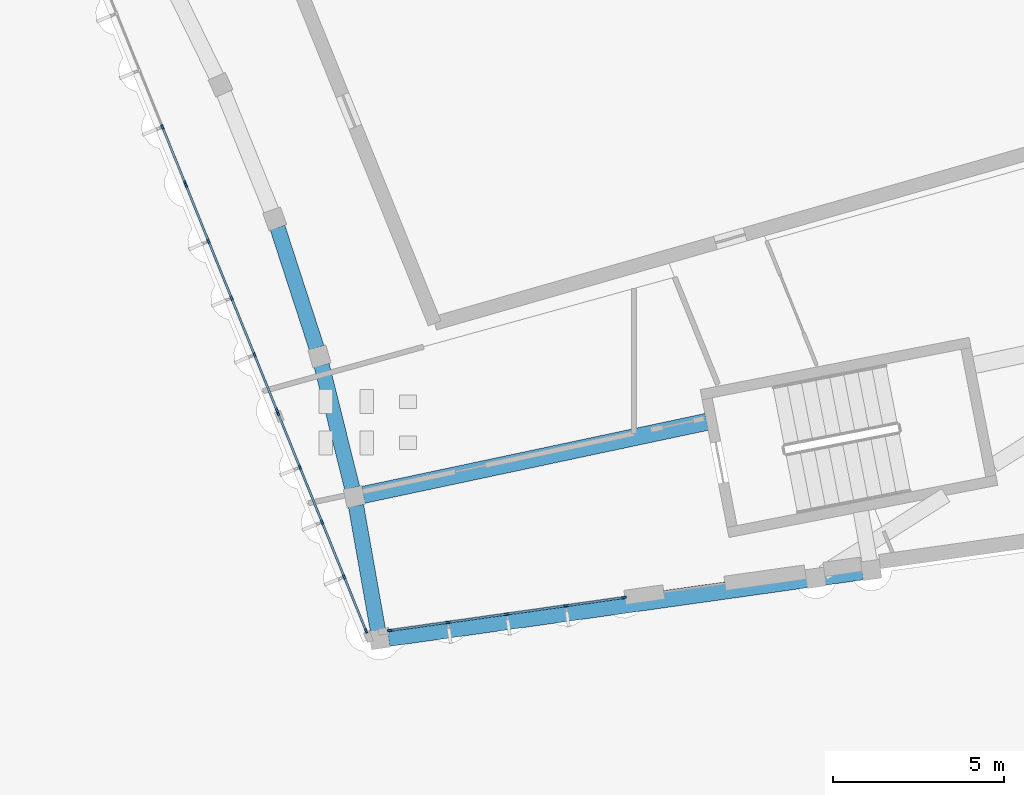
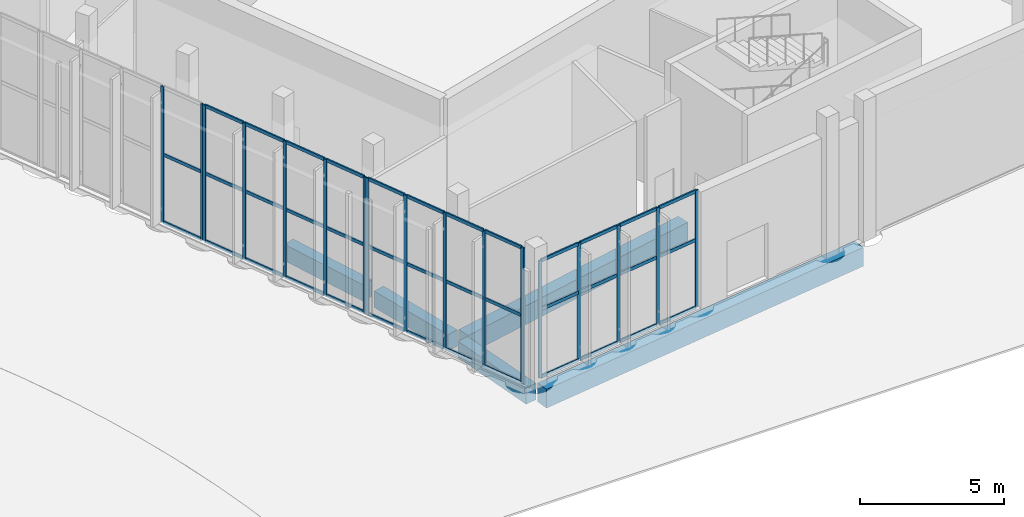
# One storey, part 49 of 155: 55 members, 5 beams, 4 elements without a shape of their own.
"""IFC4 building model written with IfcOpenShell, lengths in metres."""

from ifc_helpers import new_model, si_unit, direction, frame, origin, origin_2d, place, context, subcontext, project, spatial, rectangle, extrude, material, layer, layer_set, material_profile, profile_set, type_object, element, aggregate, save


model = new_model("IFC4")

# Units and contexts
model_context = context("Model", 3, precision=1e-05, world=origin(), true_north=direction((0.0, 1.0)))
body_context = subcontext(model_context, "Body", "Model", "MODEL_VIEW")
ifc_project = project(units=[si_unit("LENGTHUNIT", "METRE"), si_unit("AREAUNIT", "SQUARE_METRE"), si_unit("VOLUMEUNIT", "CUBIC_METRE"), si_unit("PLANEANGLEUNIT", "RADIAN"), si_unit("MASSUNIT", "GRAM", prefix="KILO")], contexts=[model_context])

# Site, building, storey
site_placement = place(None, origin())
site = spatial("IfcSite", under=ifc_project, at=site_placement, CompositionType="ELEMENT")
building_placement = place(site_placement, origin())
building = spatial("IfcBuilding", under=site, at=building_placement, Name="Lunette Opera House", CompositionType="ELEMENT")
storey_placement = place(building_placement, origin())
storey = spatial("IfcBuildingStorey", under=building, at=storey_placement, Name="L00", CompositionType="ELEMENT", Elevation=0.0)

# Curtain wall, members
ifc_material_1 = material(Name="Aluminium", Category="aluminium")
ifc_layer = layer(ifc_material_1, 0.139892578125)
ifc_layer_set = layer_set([ifc_layer], Name="Aluminium")
curtain_wall_type = type_object("IfcCurtainWallType", Name="STUDIO CURTAIN WALL", PredefinedType="NOTDEFINED", material=ifc_layer_set)
curtain_wall_1_placement = place(storey_placement, origin())
curtain_wall_1 = element("IfcCurtainWall", 1, at=curtain_wall_1_placement, inside=storey, type_object=curtain_wall_type, Name="Studio Curtain Wall F02 L00", PredefinedType="NOTDEFINED")
ifc_material_2 = material(Name="Aluminium", Category="aluminium")
ifc_material_profile_1 = material_profile(ifc_material_2, rectangle(XDim=0.06005859375, YDim=0.139892578125, at=origin_2d()), Name="MULLION 60 X 140")
ifc_profile_set_1 = profile_set([ifc_material_profile_1], Name="Aluminium")
member_type_1 = type_object("IfcMemberType", Name="MULLION 60 X 140", PredefinedType="MULLION", material=ifc_profile_set_1)
member_1_placement = place(storey_placement, frame((149.57177734375, 23.37646484375, 0.0), z_axis=(0.0, 0.0, 1.0), x_axis=(0.927187634441, 0.374597237762, 0.0)))
member_1 = element("IfcMember", 2, at=member_1_placement, type_object=member_type_1, Name="SB-X2002 mullion 4", PredefinedType="MULLION", context=body_context, shape_type="SweptSolid", body=[
    extrude(rectangle(XDim=0.06005859375, YDim=0.139892578125, at=origin_2d()), origin(), (0.0, 0.0, 1.0), 5.780029296875),
])
member_2_placement = place(storey_placement, frame((150.229736328125, 21.747802734375, 0.0), z_axis=(0.0, 0.0, 1.0), x_axis=(0.927187634441, 0.374597237762, 0.0)))
member_2 = element("IfcMember", 3, at=member_2_placement, type_object=member_type_1, Name="SB-X2002 mullion 5", PredefinedType="MULLION", context=body_context, shape_type="SweptSolid", body=[
    extrude(rectangle(XDim=0.06005859375, YDim=0.139892578125, at=origin_2d()), origin(), (0.0, 0.0, 1.0), 5.780029296875),
])

curtain_wall_2_placement = place(storey_placement, origin())
curtain_wall_2 = element("IfcCurtainWall", 4, at=curtain_wall_2_placement, inside=storey, type_object=curtain_wall_type, Name="Studio Curtain Wall F03 L00", PredefinedType="NOTDEFINED")
member_3_placement = place(storey_placement, frame((150.26318359375, 21.664306640625, 0.0), z_axis=(0.0, 0.0, 1.0), x_axis=(0.927167994967, 0.37464584491, 0.0)))
member_3 = element("IfcMember", 5, at=member_3_placement, type_object=member_type_1, Name="SB-X2003 mullion 1", PredefinedType="MULLION", context=body_context, shape_type="SweptSolid", body=[
    extrude(rectangle(XDim=0.06005859375, YDim=0.139892578125, at=origin_2d()), origin(), (0.0, 0.0, 1.0), 5.780029296875),
])
member_4_placement = place(storey_placement, frame((150.921142578125, 20.03564453125, 0.0), z_axis=(0.0, 0.0, 1.0), x_axis=(0.927167994967, 0.37464584491, 0.0)))
member_4 = element("IfcMember", 6, at=member_4_placement, type_object=member_type_1, Name="SB-X2003 mullion 2", PredefinedType="MULLION", context=body_context, shape_type="SweptSolid", body=[
    extrude(rectangle(XDim=0.06005859375, YDim=0.139892578125, at=origin_2d()), origin(), (0.0, 0.0, 1.0), 5.780029296875),
])
member_5_placement = place(storey_placement, frame((151.590576171875, 18.37939453125, 0.0), z_axis=(0.0, 0.0, 1.0), x_axis=(0.927167994967, 0.37464584491, 0.0)))
member_5 = element("IfcMember", 7, at=member_5_placement, type_object=member_type_1, Name="SB-X2003 mullion 3", PredefinedType="MULLION", context=body_context, shape_type="SweptSolid", body=[
    extrude(rectangle(XDim=0.06005859375, YDim=0.139892578125, at=origin_2d()), origin(), (0.0, 0.0, 1.0), 5.780029296875),
])
member_6_placement = place(storey_placement, frame((152.259765625, 16.72314453125, 0.0), z_axis=(0.0, 0.0, 1.0), x_axis=(0.927167994967, 0.37464584491, 0.0)))
member_6 = element("IfcMember", 8, at=member_6_placement, type_object=member_type_1, Name="SB-X2003 mullion 4", PredefinedType="MULLION", context=body_context, shape_type="SweptSolid", body=[
    extrude(rectangle(XDim=0.06005859375, YDim=0.139892578125, at=origin_2d()), origin(), (0.0, 0.0, 1.0), 5.780029296875),
])
member_7_placement = place(storey_placement, frame((152.917724609375, 15.0947265625, 0.0), z_axis=(0.0, 0.0, 1.0), x_axis=(0.927167994967, 0.37464584491, 0.0)))
member_7 = element("IfcMember", 9, at=member_7_placement, type_object=member_type_1, Name="SB-X2003 mullion 5", PredefinedType="MULLION", context=body_context, shape_type="SweptSolid", body=[
    extrude(rectangle(XDim=0.06005859375, YDim=0.139892578125, at=origin_2d()), origin(), (0.0, 0.0, 1.0), 5.780029296875),
])

curtain_wall_3_placement = place(storey_placement, origin())
curtain_wall_3 = element("IfcCurtainWall", 10, at=curtain_wall_3_placement, inside=storey, type_object=curtain_wall_type, Name="Studio Curtain Wall F04 L00", PredefinedType="NOTDEFINED")
member_8_placement = place(storey_placement, frame((152.951171875, 15.01123046875, 0.0), z_axis=(0.0, 0.0, 1.0), x_axis=(0.927182844849, 0.374609092545, 0.0)))
member_8 = element("IfcMember", 11, at=member_8_placement, type_object=member_type_1, Name="SB-X2004 mullion 1", PredefinedType="MULLION", context=body_context, shape_type="SweptSolid", body=[
    extrude(rectangle(XDim=0.06005859375, YDim=0.139892578125, at=origin_2d()), origin(), (0.0, 0.0, 1.0), 5.780029296875),
])
member_9_placement = place(storey_placement, frame((153.586669921875, 13.438232421875, 0.0), z_axis=(0.0, 0.0, 1.0), x_axis=(0.927182844849, 0.374609092545, 0.0)))
member_9 = element("IfcMember", 12, at=member_9_placement, type_object=member_type_1, Name="SB-X2004 mullion 2", PredefinedType="MULLION", context=body_context, shape_type="SweptSolid", body=[
    extrude(rectangle(XDim=0.06005859375, YDim=0.139892578125, at=origin_2d()), origin(), (0.0, 0.0, 1.0), 5.780029296875),
])
member_10_placement = place(storey_placement, frame((154.2333984375, 11.83740234375, 0.0), z_axis=(0.0, 0.0, 1.0), x_axis=(0.927182844849, 0.374609092545, 0.0)))
member_10 = element("IfcMember", 13, at=member_10_placement, type_object=member_type_1, Name="SB-X2004 mullion 3", PredefinedType="MULLION", context=body_context, shape_type="SweptSolid", body=[
    extrude(rectangle(XDim=0.06005859375, YDim=0.139892578125, at=origin_2d()), origin(), (0.0, 0.0, 1.0), 5.780029296875),
])
member_11_placement = place(storey_placement, frame((154.88037109375, 10.23681640625, 0.0), z_axis=(0.0, 0.0, 1.0), x_axis=(0.927182844849, 0.374609092545, 0.0)))
member_11 = element("IfcMember", 14, at=member_11_placement, type_object=member_type_1, Name="SB-X2004 mullion 4", PredefinedType="MULLION", context=body_context, shape_type="SweptSolid", body=[
    extrude(rectangle(XDim=0.06005859375, YDim=0.139892578125, at=origin_2d()), origin(), (0.0, 0.0, 1.0), 5.780029296875),
])
member_12_placement = place(storey_placement, frame((155.515869140625, 8.663818359375, 0.0), z_axis=(0.0, 0.0, 1.0), x_axis=(0.927182844849, 0.374609092545, 0.0)))
member_12 = element("IfcMember", 15, at=member_12_placement, type_object=member_type_1, Name="SB-X2004 mullion 5", PredefinedType="MULLION", context=body_context, shape_type="SweptSolid", body=[
    extrude(rectangle(XDim=0.06005859375, YDim=0.139892578125, at=origin_2d()), origin(), (0.0, 0.0, 1.0), 5.780029296875),
])

curtain_wall_4_placement = place(storey_placement, origin())
curtain_wall_4 = element("IfcCurtainWall", 16, at=curtain_wall_4_placement, inside=storey, type_object=curtain_wall_type, Name="Studio Curtain Wall F05 L00", PredefinedType="NOTDEFINED")
member_13_placement = place(storey_placement, frame((156.213623046875, 8.674072265625, 0.0), z_axis=(0.0, 0.0, 1.0), x_axis=(-0.139208606221, 0.990263078154, 0.0)))
member_13 = element("IfcMember", 17, at=member_13_placement, type_object=member_type_1, Name="SB-X2005 mullion 1", PredefinedType="MULLION", context=body_context, shape_type="SweptSolid", body=[
    extrude(rectangle(XDim=0.06005859375, YDim=0.139892578125, at=origin_2d()), origin(), (0.0, 0.0, 1.0), 4.97998046875),
])
member_14_placement = place(storey_placement, frame((157.9072265625, 8.912353515625, 0.0), z_axis=(0.0, 0.0, 1.0), x_axis=(-0.139208606221, 0.990263078154, 0.0)))
member_14 = element("IfcMember", 18, at=member_14_placement, type_object=member_type_1, Name="SB-X2005 mullion 2", PredefinedType="MULLION", context=body_context, shape_type="SweptSolid", body=[
    extrude(rectangle(XDim=0.06005859375, YDim=0.139892578125, at=origin_2d()), origin(), (0.0, 0.0, 1.0), 4.97998046875),
])
member_15_placement = place(storey_placement, frame((159.630615234375, 9.154541015625, 0.0), z_axis=(0.0, 0.0, 1.0), x_axis=(-0.139208606221, 0.990263078154, 0.0)))
member_15 = element("IfcMember", 19, at=member_15_placement, type_object=member_type_1, Name="SB-X2005 mullion 3", PredefinedType="MULLION", context=body_context, shape_type="SweptSolid", body=[
    extrude(rectangle(XDim=0.06005859375, YDim=0.139892578125, at=origin_2d()), origin(), (0.0, 0.0, 1.0), 4.97998046875),
])
member_16_placement = place(storey_placement, frame((161.353759765625, 9.396728515625, 0.0), z_axis=(0.0, 0.0, 1.0), x_axis=(-0.139208606221, 0.990263078154, 0.0)))
member_16 = element("IfcMember", 20, at=member_16_placement, type_object=member_type_1, Name="SB-X2005 mullion 4", PredefinedType="MULLION", context=body_context, shape_type="SweptSolid", body=[
    extrude(rectangle(XDim=0.06005859375, YDim=0.139892578125, at=origin_2d()), origin(), (0.0, 0.0, 1.0), 4.97998046875),
])
member_17_placement = place(storey_placement, frame((163.04736328125, 9.634765625, 0.0), z_axis=(0.0, 0.0, 1.0), x_axis=(-0.139208606221, 0.990263078154, 0.0)))
member_17 = element("IfcMember", 21, at=member_17_placement, type_object=member_type_1, Name="SB-X2005 mullion 5", PredefinedType="MULLION", context=body_context, shape_type="SweptSolid", body=[
    extrude(rectangle(XDim=0.06005859375, YDim=0.139892578125, at=origin_2d()), origin(), (0.0, 0.0, 1.0), 4.97998046875),
])

# Beams
ifc_material_3 = material(Name="Concrete C35/45", Category="concrete")
ifc_material_profile_2 = material_profile(ifc_material_3, rectangle(XDim=0.449951171875, YDim=0.699951171875, at=origin_2d()), Name="RC BEAM 450X700")
ifc_profile_set_2 = profile_set([ifc_material_profile_2], Name="Concrete C35/45")
beam_type_1 = type_object("IfcBeamType", Name="RC BEAM 450X700", PredefinedType="BEAM", material=ifc_profile_set_2)
beam_1_placement = place(storey_placement, frame((152.93310546875, 20.43994140625, -0.570068359375), z_axis=(0.30895899574, -0.951075359239, 0.0), x_axis=(0.951075359239, 0.30895899574, 0.0)))
element("IfcBeam", 22, at=beam_1_placement, inside=storey, type_object=beam_type_1, Name="beam-SB-L00-L00-RG04", PredefinedType="BEAM", context=body_context, shape_type="SweptSolid", body=[
    extrude(rectangle(XDim=0.449951171875, YDim=0.699951171875, at=origin_2d()), origin(), (0.0, 0.0, 1.0), 3.692626953125),
])
beam_2_placement = place(storey_placement, frame((154.219970703125, 16.4189453125, -0.570068359375), z_axis=(0.242100042961, -0.970251291779, 0.0), x_axis=(0.970251291779, 0.242100042961, 0.0)))
element("IfcBeam", 23, at=beam_2_placement, inside=storey, type_object=beam_type_1, Name="beam-SB-L00-L00-RG05", PredefinedType="BEAM", context=body_context, shape_type="SweptSolid", body=[
    extrude(rectangle(XDim=0.449951171875, YDim=0.699951171875, at=origin_2d()), origin(), (0.0, 0.0, 1.0), 3.69287109375),
])
beam_3_placement = place(storey_placement, frame((155.22412109375, 12.318115234375, -0.570068359375), z_axis=(0.173525123343, -0.984829442883, 0.0), x_axis=(0.984829442883, 0.173525123343, 0.0)))
element("IfcBeam", 24, at=beam_3_placement, inside=storey, type_object=beam_type_1, Name="beam-SB-L00-L00-RG06", PredefinedType="BEAM", context=body_context, shape_type="SweptSolid", body=[
    extrude(rectangle(XDim=0.449951171875, YDim=0.699951171875, at=origin_2d()), origin(), (0.0, 0.0, 1.0), 3.693115234375),
])
ifc_material_4 = material(Name="Concrete C35/45", Category="concrete")
ifc_material_profile_3 = material_profile(ifc_material_4, rectangle(XDim=0.5, YDim=0.800048828125, at=origin_2d()), Name="RC BEAM 500X800")
ifc_profile_set_3 = profile_set([ifc_material_profile_3], Name="Concrete C35/45")
beam_type_2 = type_object("IfcBeamType", Name="RC BEAM 500X800", PredefinedType="BEAM", material=ifc_profile_set_3)
beam_4_placement = place(storey_placement, frame((155.43701171875, 12.634033203125, -0.6201171875), z_axis=(0.978153224156, 0.207885232936, 0.0), x_axis=(-0.207885232936, 0.978153224156, 0.0)))
element("IfcBeam", 25, at=beam_4_placement, inside=storey, type_object=beam_type_2, Name="beam-SB-L00-L00-RB06", PredefinedType="BEAM", context=body_context, shape_type="SweptSolid", body=[
    extrude(rectangle(XDim=0.5, YDim=0.800048828125, at=origin_2d()), origin(), (0.0, 0.0, 1.0), 10.256103515625),
])
beam_5_placement = place(storey_placement, frame((156.174072265625, 8.45703125, -0.6201171875), z_axis=(0.990271936144, 0.139145580185, 0.0), x_axis=(-0.139145580185, 0.990271936144, 0.0)))
element("IfcBeam", 26, at=beam_5_placement, inside=storey, type_object=beam_type_2, Name="beam-SB-L00-L00-RB07", PredefinedType="BEAM", context=body_context, shape_type="SweptSolid", body=[
    extrude(rectangle(XDim=0.5, YDim=0.800048828125, at=origin_2d()), origin(), (0.0, 0.0, 1.0), 13.969970703125),
])

# Member
ifc_material_5 = material(Name="Aluminium", Category="aluminium")
ifc_material_profile_4 = material_profile(ifc_material_5, rectangle(XDim=0.06005859375, YDim=0.139892578125, at=origin_2d()), Name="TRANSOM 60 X 140")
ifc_profile_set_4 = profile_set([ifc_material_profile_4], Name="Aluminium")
member_type_2 = type_object("IfcMemberType", Name="TRANSOM 60 X 140", PredefinedType="USERDEFINED", material=ifc_profile_set_4)
member_18_placement = place(storey_placement, frame((149.5830078125, 23.3486328125, 0.030029296875), z_axis=(0.374589153254, -0.927190900659, 0.0), x_axis=(0.927190900659, 0.374589153254, 0.0)))
member_18 = element("IfcMember", 27, at=member_18_placement, type_object=member_type_2, Name="SB-X2002 transom 4.1", ObjectType="TRANSOM", PredefinedType="USERDEFINED", context=body_context, shape_type="SweptSolid", body=[
    extrude(rectangle(XDim=0.06005859375, YDim=0.139892578125, at=origin_2d()), origin(), (0.0, 0.0, 1.0), 1.696533203125),
])

member_19_placement = place(storey_placement, frame((149.5830078125, 23.3486328125, 2.889892578125), z_axis=(0.374589153254, -0.927190900659, 0.0), x_axis=(0.927190900659, 0.374589153254, 0.0)))
member_19 = element("IfcMember", 28, at=member_19_placement, type_object=member_type_2, Name="SB-X2002 transom 4.2", ObjectType="TRANSOM", PredefinedType="USERDEFINED", context=body_context, shape_type="SweptSolid", body=[
    extrude(rectangle(XDim=0.06005859375, YDim=0.139892578125, at=origin_2d()), origin(), (0.0, 0.0, 1.0), 1.696533203125),
])

aggregate(curtain_wall_1, [member_1, member_2, member_18, member_19])

member_20_placement = place(storey_placement, frame((150.2744140625, 21.636474609375, 0.030029296875), z_axis=(0.374589153254, -0.927190900659, 0.0), x_axis=(0.927190900659, 0.374589153254, 0.0)))
member_20 = element("IfcMember", 29, at=member_20_placement, type_object=member_type_2, Name="SB-X2003 transom 1.1", ObjectType="TRANSOM", PredefinedType="USERDEFINED", context=body_context, shape_type="SweptSolid", body=[
    extrude(rectangle(XDim=0.06005859375, YDim=0.139892578125, at=origin_2d()), origin(), (0.0, 0.0, 1.0), 1.696533203125),
])

member_21_placement = place(storey_placement, frame((150.2744140625, 21.636474609375, 2.889892578125), z_axis=(0.374589153254, -0.927190900659, 0.0), x_axis=(0.927190900659, 0.374589153254, 0.0)))
member_21 = element("IfcMember", 30, at=member_21_placement, type_object=member_type_2, Name="SB-X2003 transom 1.2", ObjectType="TRANSOM", PredefinedType="USERDEFINED", context=body_context, shape_type="SweptSolid", body=[
    extrude(rectangle(XDim=0.06005859375, YDim=0.139892578125, at=origin_2d()), origin(), (0.0, 0.0, 1.0), 1.696533203125),
])

member_22_placement = place(storey_placement, frame((150.2744140625, 21.636474609375, 5.75), z_axis=(0.374589153254, -0.927190900659, 0.0), x_axis=(0.927190900659, 0.374589153254, 0.0)))
member_22 = element("IfcMember", 31, at=member_22_placement, type_object=member_type_2, Name="SB-X2003 transom 1.3", ObjectType="TRANSOM", PredefinedType="USERDEFINED", context=body_context, shape_type="SweptSolid", body=[
    extrude(rectangle(XDim=0.06005859375, YDim=0.139892578125, at=origin_2d()), origin(), (0.0, 0.0, 1.0), 1.696533203125),
])

member_23_placement = place(storey_placement, frame((150.932373046875, 20.008056640625, 0.030029296875), z_axis=(0.374703840138, -0.927144558408, 0.0), x_axis=(0.927144558408, 0.374703840138, 0.0)))
member_23 = element("IfcMember", 32, at=member_23_placement, type_object=member_type_2, Name="SB-X2003 transom 2.1", ObjectType="TRANSOM", PredefinedType="USERDEFINED", context=body_context, shape_type="SweptSolid", body=[
    extrude(rectangle(XDim=0.06005859375, YDim=0.139892578125, at=origin_2d()), origin(), (0.0, 0.0, 1.0), 1.7265625),
])

member_24_placement = place(storey_placement, frame((150.932373046875, 20.008056640625, 2.889892578125), z_axis=(0.374703840138, -0.927144558408, 0.0), x_axis=(0.927144558408, 0.374703840138, 0.0)))
member_24 = element("IfcMember", 33, at=member_24_placement, type_object=member_type_2, Name="SB-X2003 transom 2.2", ObjectType="TRANSOM", PredefinedType="USERDEFINED", context=body_context, shape_type="SweptSolid", body=[
    extrude(rectangle(XDim=0.06005859375, YDim=0.139892578125, at=origin_2d()), origin(), (0.0, 0.0, 1.0), 1.7265625),
])

member_25_placement = place(storey_placement, frame((150.932373046875, 20.008056640625, 5.75), z_axis=(0.374703840138, -0.927144558408, 0.0), x_axis=(0.927144558408, 0.374703840138, 0.0)))
member_25 = element("IfcMember", 34, at=member_25_placement, type_object=member_type_2, Name="SB-X2003 transom 2.3", ObjectType="TRANSOM", PredefinedType="USERDEFINED", context=body_context, shape_type="SweptSolid", body=[
    extrude(rectangle(XDim=0.06005859375, YDim=0.139892578125, at=origin_2d()), origin(), (0.0, 0.0, 1.0), 1.7265625),
])

member_26_placement = place(storey_placement, frame((151.601806640625, 18.351806640625, 0.030029296875), z_axis=(0.374582285456, -0.927193675249, 0.0), x_axis=(0.927193675249, 0.374582285456, 0.0)))
member_26 = element("IfcMember", 35, at=member_26_placement, type_object=member_type_2, Name="SB-X2003 transom 3.1", ObjectType="TRANSOM", PredefinedType="USERDEFINED", context=body_context, shape_type="SweptSolid", body=[
    extrude(rectangle(XDim=0.06005859375, YDim=0.139892578125, at=origin_2d()), origin(), (0.0, 0.0, 1.0), 1.7265625),
])

member_27_placement = place(storey_placement, frame((151.601806640625, 18.351806640625, 2.889892578125), z_axis=(0.374582285456, -0.927193675249, 0.0), x_axis=(0.927193675249, 0.374582285456, 0.0)))
member_27 = element("IfcMember", 36, at=member_27_placement, type_object=member_type_2, Name="SB-X2003 transom 3.2", ObjectType="TRANSOM", PredefinedType="USERDEFINED", context=body_context, shape_type="SweptSolid", body=[
    extrude(rectangle(XDim=0.06005859375, YDim=0.139892578125, at=origin_2d()), origin(), (0.0, 0.0, 1.0), 1.7265625),
])

member_28_placement = place(storey_placement, frame((151.601806640625, 18.351806640625, 5.75), z_axis=(0.374582285456, -0.927193675249, 0.0), x_axis=(0.927193675249, 0.374582285456, 0.0)))
member_28 = element("IfcMember", 37, at=member_28_placement, type_object=member_type_2, Name="SB-X2003 transom 3.3", ObjectType="TRANSOM", PredefinedType="USERDEFINED", context=body_context, shape_type="SweptSolid", body=[
    extrude(rectangle(XDim=0.06005859375, YDim=0.139892578125, at=origin_2d()), origin(), (0.0, 0.0, 1.0), 1.7265625),
])

member_29_placement = place(storey_placement, frame((152.27099609375, 16.695556640625, 0.030029296875), z_axis=(0.374589153254, -0.927190900659, 0.0), x_axis=(0.927190900659, 0.374589153254, 0.0)))
member_29 = element("IfcMember", 38, at=member_29_placement, type_object=member_type_2, Name="SB-X2003 transom 4.1", ObjectType="TRANSOM", PredefinedType="USERDEFINED", context=body_context, shape_type="SweptSolid", body=[
    extrude(rectangle(XDim=0.06005859375, YDim=0.139892578125, at=origin_2d()), origin(), (0.0, 0.0, 1.0), 1.696533203125),
])

member_30_placement = place(storey_placement, frame((152.27099609375, 16.695556640625, 2.889892578125), z_axis=(0.374589153254, -0.927190900659, 0.0), x_axis=(0.927190900659, 0.374589153254, 0.0)))
member_30 = element("IfcMember", 39, at=member_30_placement, type_object=member_type_2, Name="SB-X2003 transom 4.2", ObjectType="TRANSOM", PredefinedType="USERDEFINED", context=body_context, shape_type="SweptSolid", body=[
    extrude(rectangle(XDim=0.06005859375, YDim=0.139892578125, at=origin_2d()), origin(), (0.0, 0.0, 1.0), 1.696533203125),
])

member_31_placement = place(storey_placement, frame((152.27099609375, 16.695556640625, 5.75), z_axis=(0.374589153254, -0.927190900659, 0.0), x_axis=(0.927190900659, 0.374589153254, 0.0)))
member_31 = element("IfcMember", 40, at=member_31_placement, type_object=member_type_2, Name="SB-X2003 transom 4.3", ObjectType="TRANSOM", PredefinedType="USERDEFINED", context=body_context, shape_type="SweptSolid", body=[
    extrude(rectangle(XDim=0.06005859375, YDim=0.139892578125, at=origin_2d()), origin(), (0.0, 0.0, 1.0), 1.696533203125),
])

aggregate(curtain_wall_2, [member_3, member_4, member_5, member_6, member_7, member_20, member_21, member_22, member_23, member_24, member_25, member_26, member_27, member_28, member_29, member_30, member_31])

member_32_placement = place(storey_placement, frame((152.96240234375, 14.9833984375, 0.030029296875), z_axis=(0.374603644492, -0.927185046004, 0.0), x_axis=(0.927185046004, 0.374603644492, 0.0)))
member_32 = element("IfcMember", 41, at=member_32_placement, type_object=member_type_2, Name="SB-X2004 transom 1.1", ObjectType="TRANSOM", PredefinedType="USERDEFINED", context=body_context, shape_type="SweptSolid", body=[
    extrude(rectangle(XDim=0.06005859375, YDim=0.139892578125, at=origin_2d()), origin(), (0.0, 0.0, 1.0), 1.636474609375),
])

member_33_placement = place(storey_placement, frame((152.96240234375, 14.9833984375, 2.889892578125), z_axis=(0.374603644492, -0.927185046004, 0.0), x_axis=(0.927185046004, 0.374603644492, 0.0)))
member_33 = element("IfcMember", 42, at=member_33_placement, type_object=member_type_2, Name="SB-X2004 transom 1.2", ObjectType="TRANSOM", PredefinedType="USERDEFINED", context=body_context, shape_type="SweptSolid", body=[
    extrude(rectangle(XDim=0.06005859375, YDim=0.139892578125, at=origin_2d()), origin(), (0.0, 0.0, 1.0), 1.636474609375),
])

member_34_placement = place(storey_placement, frame((152.96240234375, 14.9833984375, 5.75), z_axis=(0.374603644492, -0.927185046004, 0.0), x_axis=(0.927185046004, 0.374603644492, 0.0)))
member_34 = element("IfcMember", 43, at=member_34_placement, type_object=member_type_2, Name="SB-X2004 transom 1.3", ObjectType="TRANSOM", PredefinedType="USERDEFINED", context=body_context, shape_type="SweptSolid", body=[
    extrude(rectangle(XDim=0.06005859375, YDim=0.139892578125, at=origin_2d()), origin(), (0.0, 0.0, 1.0), 1.636474609375),
])

member_35_placement = place(storey_placement, frame((153.597900390625, 13.410400390625, 0.030029296875), z_axis=(0.374596268397, -0.927188026078, 0.0), x_axis=(0.927188026078, 0.374596268397, 0.0)))
member_35 = element("IfcMember", 44, at=member_35_placement, type_object=member_type_2, Name="SB-X2004 transom 2.1", ObjectType="TRANSOM", PredefinedType="USERDEFINED", context=body_context, shape_type="SweptSolid", body=[
    extrude(rectangle(XDim=0.06005859375, YDim=0.139892578125, at=origin_2d()), origin(), (0.0, 0.0, 1.0), 1.66650390625),
])

member_36_placement = place(storey_placement, frame((153.597900390625, 13.410400390625, 2.889892578125), z_axis=(0.374596268397, -0.927188026078, 0.0), x_axis=(0.927188026078, 0.374596268397, 0.0)))
member_36 = element("IfcMember", 45, at=member_36_placement, type_object=member_type_2, Name="SB-X2004 transom 2.2", ObjectType="TRANSOM", PredefinedType="USERDEFINED", context=body_context, shape_type="SweptSolid", body=[
    extrude(rectangle(XDim=0.06005859375, YDim=0.139892578125, at=origin_2d()), origin(), (0.0, 0.0, 1.0), 1.66650390625),
])

member_37_placement = place(storey_placement, frame((153.597900390625, 13.410400390625, 5.75), z_axis=(0.374596268397, -0.927188026078, 0.0), x_axis=(0.927188026078, 0.374596268397, 0.0)))
member_37 = element("IfcMember", 46, at=member_37_placement, type_object=member_type_2, Name="SB-X2004 transom 2.3", ObjectType="TRANSOM", PredefinedType="USERDEFINED", context=body_context, shape_type="SweptSolid", body=[
    extrude(rectangle(XDim=0.06005859375, YDim=0.139892578125, at=origin_2d()), origin(), (0.0, 0.0, 1.0), 1.66650390625),
])

member_38_placement = place(storey_placement, frame((154.24462890625, 11.8095703125, 0.030029296875), z_axis=(0.374647156722, -0.927167464895, 0.0), x_axis=(0.927167464895, 0.374647156722, 0.0)))
member_38 = element("IfcMember", 47, at=member_38_placement, type_object=member_type_2, Name="SB-X2004 transom 3.1", ObjectType="TRANSOM", PredefinedType="USERDEFINED", context=body_context, shape_type="SweptSolid", body=[
    extrude(rectangle(XDim=0.06005859375, YDim=0.139892578125, at=origin_2d()), origin(), (0.0, 0.0, 1.0), 1.666259765625),
])

member_39_placement = place(storey_placement, frame((154.24462890625, 11.8095703125, 2.889892578125), z_axis=(0.374647156722, -0.927167464895, 0.0), x_axis=(0.927167464895, 0.374647156722, 0.0)))
member_39 = element("IfcMember", 48, at=member_39_placement, type_object=member_type_2, Name="SB-X2004 transom 3.2", ObjectType="TRANSOM", PredefinedType="USERDEFINED", context=body_context, shape_type="SweptSolid", body=[
    extrude(rectangle(XDim=0.06005859375, YDim=0.139892578125, at=origin_2d()), origin(), (0.0, 0.0, 1.0), 1.666259765625),
])

member_40_placement = place(storey_placement, frame((154.24462890625, 11.8095703125, 5.75), z_axis=(0.374647156722, -0.927167464895, 0.0), x_axis=(0.927167464895, 0.374647156722, 0.0)))
member_40 = element("IfcMember", 49, at=member_40_placement, type_object=member_type_2, Name="SB-X2004 transom 3.3", ObjectType="TRANSOM", PredefinedType="USERDEFINED", context=body_context, shape_type="SweptSolid", body=[
    extrude(rectangle(XDim=0.06005859375, YDim=0.139892578125, at=origin_2d()), origin(), (0.0, 0.0, 1.0), 1.666259765625),
])

member_41_placement = place(storey_placement, frame((154.8916015625, 10.208984375, 0.030029296875), z_axis=(0.374603644492, -0.927185046004, 0.0), x_axis=(0.927185046004, 0.374603644492, 0.0)))
member_41 = element("IfcMember", 50, at=member_41_placement, type_object=member_type_2, Name="SB-X2004 transom 4.1", ObjectType="TRANSOM", PredefinedType="USERDEFINED", context=body_context, shape_type="SweptSolid", body=[
    extrude(rectangle(XDim=0.06005859375, YDim=0.139892578125, at=origin_2d()), origin(), (0.0, 0.0, 1.0), 1.636474609375),
])

member_42_placement = place(storey_placement, frame((154.8916015625, 10.208984375, 2.889892578125), z_axis=(0.374603644492, -0.927185046004, 0.0), x_axis=(0.927185046004, 0.374603644492, 0.0)))
member_42 = element("IfcMember", 51, at=member_42_placement, type_object=member_type_2, Name="SB-X2004 transom 4.2", ObjectType="TRANSOM", PredefinedType="USERDEFINED", context=body_context, shape_type="SweptSolid", body=[
    extrude(rectangle(XDim=0.06005859375, YDim=0.139892578125, at=origin_2d()), origin(), (0.0, 0.0, 1.0), 1.636474609375),
])

member_43_placement = place(storey_placement, frame((154.8916015625, 10.208984375, 5.75), z_axis=(0.374603644492, -0.927185046004, 0.0), x_axis=(0.927185046004, 0.374603644492, 0.0)))
member_43 = element("IfcMember", 52, at=member_43_placement, type_object=member_type_2, Name="SB-X2004 transom 4.3", ObjectType="TRANSOM", PredefinedType="USERDEFINED", context=body_context, shape_type="SweptSolid", body=[
    extrude(rectangle(XDim=0.06005859375, YDim=0.139892578125, at=origin_2d()), origin(), (0.0, 0.0, 1.0), 1.636474609375),
])

aggregate(curtain_wall_3, [member_8, member_9, member_10, member_11, member_12, member_32, member_33, member_34, member_35, member_36, member_37, member_38, member_39, member_40, member_41, member_42, member_43])

member_44_placement = place(storey_placement, frame((156.243408203125, 8.678466796875, 0.030029296875), z_axis=(0.990281110905, 0.139080269573, 0.0), x_axis=(-0.139080269573, 0.990281110905, 0.0)))
member_44 = element("IfcMember", 53, at=member_44_placement, type_object=member_type_2, Name="SB-X2005 transom 1.1", ObjectType="TRANSOM", PredefinedType="USERDEFINED", context=body_context, shape_type="SweptSolid", body=[
    extrude(rectangle(XDim=0.06005859375, YDim=0.139892578125, at=origin_2d()), origin(), (0.0, 0.0, 1.0), 1.650146484375),
])

member_45_placement = place(storey_placement, frame((156.243408203125, 8.678466796875, 2.889892578125), z_axis=(0.990281110905, 0.139080269573, 0.0), x_axis=(-0.139080269573, 0.990281110905, 0.0)))
member_45 = element("IfcMember", 54, at=member_45_placement, type_object=member_type_2, Name="SB-X2005 transom 1.2", ObjectType="TRANSOM", PredefinedType="USERDEFINED", context=body_context, shape_type="SweptSolid", body=[
    extrude(rectangle(XDim=0.06005859375, YDim=0.139892578125, at=origin_2d()), origin(), (0.0, 0.0, 1.0), 1.650146484375),
])

member_46_placement = place(storey_placement, frame((156.243408203125, 8.678466796875, 4.949951171875), z_axis=(0.990281110905, 0.139080269573, 0.0), x_axis=(-0.139080269573, 0.990281110905, 0.0)))
member_46 = element("IfcMember", 55, at=member_46_placement, type_object=member_type_2, Name="SB-X2005 transom 1.3", ObjectType="TRANSOM", PredefinedType="USERDEFINED", context=body_context, shape_type="SweptSolid", body=[
    extrude(rectangle(XDim=0.06005859375, YDim=0.139892578125, at=origin_2d()), origin(), (0.0, 0.0, 1.0), 1.650146484375),
])

member_47_placement = place(storey_placement, frame((157.93701171875, 8.91650390625, 0.030029296875), z_axis=(0.990263778482, 0.139203624327, 0.0), x_axis=(-0.139203624327, 0.990263778482, 0.0)))
member_47 = element("IfcMember", 56, at=member_47_placement, type_object=member_type_2, Name="SB-X2005 transom 2.1", ObjectType="TRANSOM", PredefinedType="USERDEFINED", context=body_context, shape_type="SweptSolid", body=[
    extrude(rectangle(XDim=0.06005859375, YDim=0.139892578125, at=origin_2d()), origin(), (0.0, 0.0, 1.0), 1.68017578125),
])

member_48_placement = place(storey_placement, frame((157.93701171875, 8.91650390625, 2.889892578125), z_axis=(0.990263778482, 0.139203624327, 0.0), x_axis=(-0.139203624327, 0.990263778482, 0.0)))
member_48 = element("IfcMember", 57, at=member_48_placement, type_object=member_type_2, Name="SB-X2005 transom 2.2", ObjectType="TRANSOM", PredefinedType="USERDEFINED", context=body_context, shape_type="SweptSolid", body=[
    extrude(rectangle(XDim=0.06005859375, YDim=0.139892578125, at=origin_2d()), origin(), (0.0, 0.0, 1.0), 1.68017578125),
])

member_49_placement = place(storey_placement, frame((157.93701171875, 8.91650390625, 4.949951171875), z_axis=(0.990263778482, 0.139203624327, 0.0), x_axis=(-0.139203624327, 0.990263778482, 0.0)))
member_49 = element("IfcMember", 58, at=member_49_placement, type_object=member_type_2, Name="SB-X2005 transom 2.3", ObjectType="TRANSOM", PredefinedType="USERDEFINED", context=body_context, shape_type="SweptSolid", body=[
    extrude(rectangle(XDim=0.06005859375, YDim=0.139892578125, at=origin_2d()), origin(), (0.0, 0.0, 1.0), 1.68017578125),
])

member_50_placement = place(storey_placement, frame((159.66015625, 9.15869140625, 0.030029296875), z_axis=(0.990263778482, 0.139203624327, 0.0), x_axis=(-0.139203624327, 0.990263778482, 0.0)))
member_50 = element("IfcMember", 59, at=member_50_placement, type_object=member_type_2, Name="SB-X2005 transom 3.1", ObjectType="TRANSOM", PredefinedType="USERDEFINED", context=body_context, shape_type="SweptSolid", body=[
    extrude(rectangle(XDim=0.06005859375, YDim=0.139892578125, at=origin_2d()), origin(), (0.0, 0.0, 1.0), 1.68017578125),
])

member_51_placement = place(storey_placement, frame((159.66015625, 9.15869140625, 2.889892578125), z_axis=(0.990263778482, 0.139203624327, 0.0), x_axis=(-0.139203624327, 0.990263778482, 0.0)))
member_51 = element("IfcMember", 60, at=member_51_placement, type_object=member_type_2, Name="SB-X2005 transom 3.2", ObjectType="TRANSOM", PredefinedType="USERDEFINED", context=body_context, shape_type="SweptSolid", body=[
    extrude(rectangle(XDim=0.06005859375, YDim=0.139892578125, at=origin_2d()), origin(), (0.0, 0.0, 1.0), 1.68017578125),
])

member_52_placement = place(storey_placement, frame((159.66015625, 9.15869140625, 4.949951171875), z_axis=(0.990263778482, 0.139203624327, 0.0), x_axis=(-0.139203624327, 0.990263778482, 0.0)))
member_52 = element("IfcMember", 61, at=member_52_placement, type_object=member_type_2, Name="SB-X2005 transom 3.3", ObjectType="TRANSOM", PredefinedType="USERDEFINED", context=body_context, shape_type="SweptSolid", body=[
    extrude(rectangle(XDim=0.06005859375, YDim=0.139892578125, at=origin_2d()), origin(), (0.0, 0.0, 1.0), 1.68017578125),
])

member_53_placement = place(storey_placement, frame((161.383544921875, 9.40087890625, 0.030029296875), z_axis=(0.990260722689, 0.139225360832, 0.0), x_axis=(-0.139225360832, 0.990260722689, 0.0)))
member_53 = element("IfcMember", 62, at=member_53_placement, type_object=member_type_2, Name="SB-X2005 transom 4.1", ObjectType="TRANSOM", PredefinedType="USERDEFINED", context=body_context, shape_type="SweptSolid", body=[
    extrude(rectangle(XDim=0.06005859375, YDim=0.139892578125, at=origin_2d()), origin(), (0.0, 0.0, 1.0), 1.650146484375),
])

member_54_placement = place(storey_placement, frame((161.383544921875, 9.40087890625, 2.889892578125), z_axis=(0.990260722689, 0.139225360832, 0.0), x_axis=(-0.139225360832, 0.990260722689, 0.0)))
member_54 = element("IfcMember", 63, at=member_54_placement, type_object=member_type_2, Name="SB-X2005 transom 4.2", ObjectType="TRANSOM", PredefinedType="USERDEFINED", context=body_context, shape_type="SweptSolid", body=[
    extrude(rectangle(XDim=0.06005859375, YDim=0.139892578125, at=origin_2d()), origin(), (0.0, 0.0, 1.0), 1.650146484375),
])

member_55_placement = place(storey_placement, frame((161.383544921875, 9.40087890625, 4.949951171875), z_axis=(0.990260722689, 0.139225360832, 0.0), x_axis=(-0.139225360832, 0.990260722689, 0.0)))
member_55 = element("IfcMember", 64, at=member_55_placement, type_object=member_type_2, Name="SB-X2005 transom 4.3", ObjectType="TRANSOM", PredefinedType="USERDEFINED", context=body_context, shape_type="SweptSolid", body=[
    extrude(rectangle(XDim=0.06005859375, YDim=0.139892578125, at=origin_2d()), origin(), (0.0, 0.0, 1.0), 1.650146484375),
])

aggregate(curtain_wall_4, [member_13, member_14, member_15, member_16, member_17, member_44, member_45, member_46, member_47, member_48, member_49, member_50, member_51, member_52, member_53, member_54, member_55])

save(model, "model.ifc")
